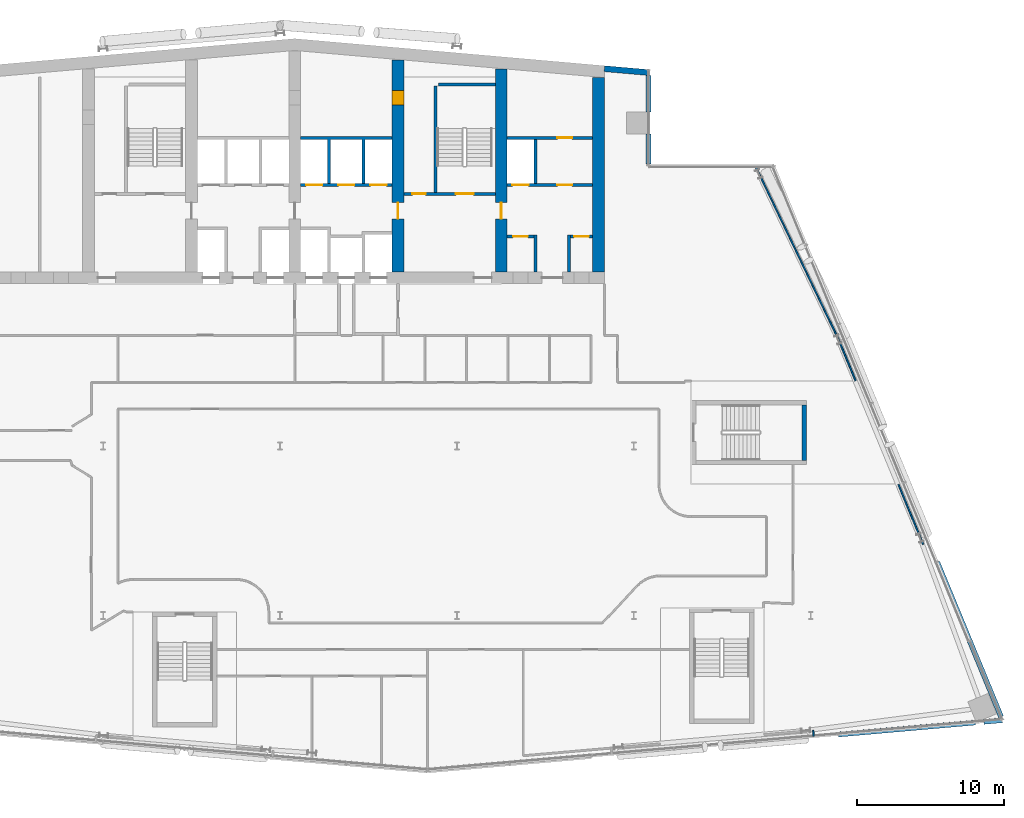
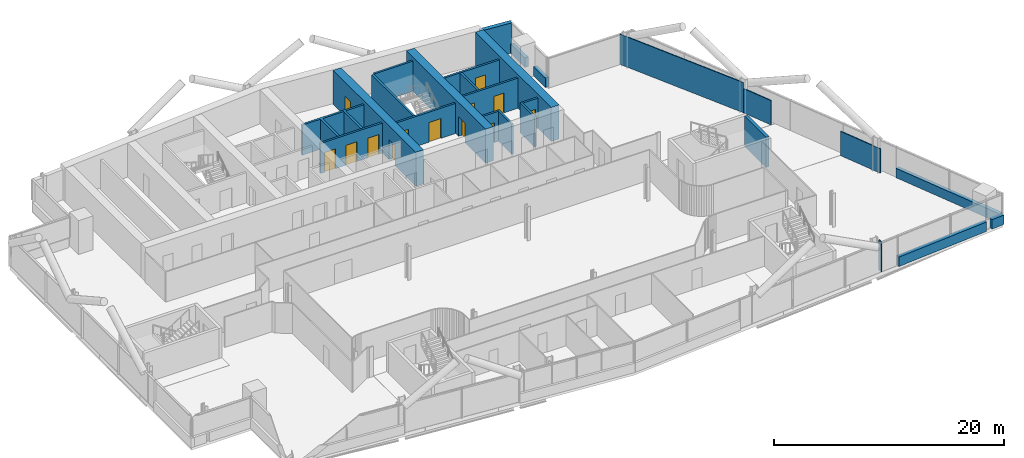
# One storey, part 21 of 29: 26 walls, 13 doors, 13 openings.
"""IFC4 building model written with IfcOpenShell, lengths in metres."""

from ifc_helpers import new_model, si_unit, direction, frame, frame_2d, origin, place, context, subcontext, project, spatial, polyline, rectangle, outline, extrude, material, layer, layer_set, type_object, element, fill, save


model = new_model("IFC4")

# Units and contexts
model_context = context("Model", 3, precision=1e-05, world=origin(), true_north=direction((0.0, 1.0)))
body_context = subcontext(model_context, "Body", "Model", "MODEL_VIEW")
ifc_project = project(units=[si_unit("LENGTHUNIT", "METRE"), si_unit("AREAUNIT", "SQUARE_METRE"), si_unit("VOLUMEUNIT", "CUBIC_METRE"), si_unit("PLANEANGLEUNIT", "RADIAN"), si_unit("MASSUNIT", "GRAM", prefix="KILO")], contexts=[model_context])

# Site, building, storey
site_placement = place(None, origin())
site = spatial("IfcSite", under=ifc_project, at=site_placement, CompositionType="ELEMENT")
building_placement = place(site_placement, origin())
building = spatial("IfcBuilding", under=site, at=building_placement, Name="Wharfspan Tower", CompositionType="ELEMENT")
storey_placement = place(building_placement, frame((0.0, 0.0, 155.5)))
storey = spatial("IfcBuildingStorey", under=building, at=storey_placement, Name="L37", CompositionType="ELEMENT", Elevation=155.5)

# Wall, opening, door
ifc_material_1 = material(Name="Calcium silicate masonry", Category="masonry")
ifc_layer_1 = layer(ifc_material_1, 0.199951)
ifc_layer_set_1 = layer_set([ifc_layer_1], Name="Calcium silicate masonry")
wall_type_1 = type_object("IfcWallType", Name="Core room wall 200", PredefinedType="PARTITIONING", material=ifc_layer_set_1)
wall_1_placement = place(storey_placement, frame((51.399902, 37.199951, 0.0), z_axis=(0.0, 0.0, 1.0), x_axis=(1.0, 0.0, 0.0)))
wall_1 = element("IfcWall", 1, at=wall_1_placement, inside=storey, type_object=wall_type_1, Name="sw:L37:FR6.1", PredefinedType="PARTITIONING", context=body_context, shape_type="SweptSolid", body=[
    extrude(rectangle(XDim=1.833496, YDim=0.199951, at=frame_2d((0.916748, 0.0))), origin(), (0.0, 0.0, 1.0), 3.199951),
])
opening_1_placement = place(wall_1_placement, frame((0.416748, 0.0, 0.0)))
opening_1 = element("IfcOpeningElement", 2, at=opening_1_placement, cuts=wall_1, Name="Opening CD37.6H1", PredefinedType="OPENING", context=body_context, shape_type="SweptSolid", body=[
    extrude(rectangle(XDim=1.0, YDim=2.100098, at=frame_2d((0.5, 1.050049))), frame((0.0, 0.109863, 0.0), z_axis=(0.0, -1.0, 0.0), x_axis=(1.0, 0.0, 0.0)), (0.0, 0.0, 1.0), 0.219971),
])
ifc_material_2 = material(Name="Steel door leaf", Category="steel")
door_type_1 = type_object("IfcDoorType", Name="Core room door 1000x2100", OperationType="SINGLE_SWING_LEFT", PredefinedType="DOOR", material=ifc_material_2)
door_1_placement = place(opening_1_placement, origin())
door_1 = element("IfcDoor", 3, at=door_1_placement, inside=storey, type_object=door_type_1, Name="d:L37:6:fh6.1", OperationType="SINGLE_SWING_RIGHT", OverallHeight=2.100098, OverallWidth=1.0, PredefinedType="DOOR", context=body_context, shape_type="SweptSolid", body=[
    extrude(rectangle(XDim=1.0, YDim=2.100098, at=frame_2d((0.5, 1.050049))), frame((0.0, 0.024902, 0.0), z_axis=(0.0, -1.0, 0.0), x_axis=(1.0, 0.0, 0.0)), (0.0, 0.0, 1.0), 0.050049),
])
fill(opening_1, door_1)

wall_2_placement = place(storey_placement, frame((55.699951, 37.199951, 0.0), z_axis=(0.0, 0.0, 1.0), x_axis=(1.0, 0.0, 0.0)))
wall_2 = element("IfcWall", 4, at=wall_2_placement, inside=storey, type_object=wall_type_1, Name="sw:L37:FR6.3", PredefinedType="PARTITIONING", context=body_context, shape_type="SweptSolid", body=[
    extrude(rectangle(XDim=1.5, YDim=0.199951, at=frame_2d((0.75, 0.0))), origin(), (0.0, 0.0, 1.0), 3.199951),
])
opening_2_placement = place(wall_2_placement, frame((0.25, 0.0, 0.0)))
opening_2 = element("IfcOpeningElement", 5, at=opening_2_placement, cuts=wall_2, Name="Opening CD37.6H3", PredefinedType="OPENING", context=body_context, shape_type="SweptSolid", body=[
    extrude(rectangle(XDim=1.0, YDim=2.100098, at=frame_2d((0.5, 1.050049))), frame((0.0, 0.109863, 0.0), z_axis=(0.0, -1.0, 0.0), x_axis=(1.0, 0.0, 0.0)), (0.0, 0.0, 1.0), 0.219971),
])
door_2_placement = place(opening_2_placement, origin())
door_2 = element("IfcDoor", 6, at=door_2_placement, inside=storey, type_object=door_type_1, Name="d:L37:6:fh6.3", OperationType="SINGLE_SWING_RIGHT", OverallHeight=2.100098, OverallWidth=1.0, PredefinedType="DOOR", context=body_context, shape_type="SweptSolid", body=[
    extrude(rectangle(XDim=1.0, YDim=2.100098, at=frame_2d((0.5, 1.050049))), frame((0.0, 0.024902, 0.0), z_axis=(0.0, -1.0, 0.0), x_axis=(1.0, 0.0, 0.0)), (0.0, 0.0, 1.0), 0.050049),
])
fill(opening_2, door_2)

# Wall, openings, doors
ifc_material_3 = material(Name="Concrete C60/75", Category="concrete")
ifc_layer_2 = layer(ifc_material_3, 0.800049)
ifc_layer_set_2 = layer_set([ifc_layer_2], Name="Concrete C60/75")
wall_type_2 = type_object("IfcWallType", Name="Core wall 800 C60/75", PredefinedType="SHEAR", material=ifc_layer_set_2)
wall_3_placement = place(storey_placement, frame((44.0, 34.800049, 0.0), z_axis=(0.0, 0.0, 1.0), x_axis=(0.0, 1.0, 0.0)))
wall_3 = element("IfcWall", 7, at=wall_3_placement, inside=storey, type_object=wall_type_2, Name="Core cross wall X5 L37", PredefinedType="SHEAR", context=body_context, shape_type="SweptSolid", body=[
    extrude(rectangle(XDim=14.374023, YDim=0.800049, at=frame_2d((7.187012, 0.0))), origin(), (0.0, 0.0, 1.0), 3.600098),
])
opening_3_placement = place(wall_3_placement, frame((11.312012, 0.0, 0.0)))
opening_3 = element("IfcOpeningElement", 8, at=opening_3_placement, cuts=wall_3, Name="Opening CD37.4X", PredefinedType="OPENING", context=body_context, shape_type="SweptSolid", body=[
    extrude(rectangle(XDim=1.0, YDim=2.100098, at=frame_2d((0.5, 1.050049))), frame((0.0, 0.409912, 0.0), z_axis=(0.0, -1.0, 0.0), x_axis=(1.0, 0.0, 0.0)), (0.0, 0.0, 1.0), 0.820068),
])
opening_4_placement = place(wall_3_placement, frame((3.600098, 0.0, 0.0)))
opening_4 = element("IfcOpeningElement", 9, at=opening_4_placement, cuts=wall_3, Name="Opening CC37.5", PredefinedType="OPENING", context=body_context, shape_type="SweptSolid", body=[
    extrude(rectangle(XDim=1.100098, YDim=2.100098, at=frame_2d((0.550049, 1.050049))), frame((0.0, 0.409912, 0.0), z_axis=(0.0, -1.0, 0.0), x_axis=(1.0, 0.0, 0.0)), (0.0, 0.0, 1.0), 0.820068),
])
door_type_2 = type_object("IfcDoorType", Name="Core corridor door 1100x2100", OperationType="SINGLE_SWING_LEFT", PredefinedType="DOOR", material=ifc_material_2)
door_3_placement = place(opening_4_placement, origin())
door_3 = element("IfcDoor", 10, at=door_3_placement, inside=storey, type_object=door_type_2, Name="xd:L37:5", OperationType="SINGLE_SWING_LEFT", OverallHeight=2.100098, OverallWidth=1.100098, PredefinedType="DOOR", context=body_context, shape_type="SweptSolid", body=[
    extrude(rectangle(XDim=1.100098, YDim=2.100098, at=frame_2d((0.550049, 1.050049))), frame((0.0, 0.024902, 0.0), z_axis=(0.0, -1.0, 0.0), x_axis=(1.0, 0.0, 0.0)), (0.0, 0.0, 1.0), 0.050049),
])
fill(opening_4, door_3)
door_4_placement = place(opening_3_placement, origin())
door_4 = element("IfcDoor", 11, at=door_4_placement, inside=storey, type_object=door_type_1, Name="d:L37:4:sx", OperationType="SINGLE_SWING_LEFT", OverallHeight=2.100098, OverallWidth=1.0, PredefinedType="DOOR", context=body_context, shape_type="SweptSolid", body=[
    extrude(rectangle(XDim=1.0, YDim=2.100098, at=frame_2d((0.5, 1.050049))), frame((0.0, 0.399902, 0.0), z_axis=(0.0, -1.0, 0.0), x_axis=(1.0, 0.0, 0.0)), (0.0, 0.0, 1.0), 0.799561),
])
fill(opening_3, door_4)

# Wall, opening, door
wall_4_placement = place(storey_placement, frame((51.0, 34.800049, 0.0), z_axis=(0.0, 0.0, 1.0), x_axis=(0.0, 1.0, 0.0)))
wall_4 = element("IfcWall", 12, at=wall_4_placement, inside=storey, type_object=wall_type_2, Name="Core cross wall X6 L37", PredefinedType="SHEAR", context=body_context, shape_type="SweptSolid", body=[
    extrude(rectangle(XDim=13.761719, YDim=0.800049, at=frame_2d((6.880859, 0.0))), origin(), (0.0, 0.0, 1.0), 3.600098),
])
opening_5_placement = place(wall_4_placement, frame((3.600098, 0.0, 0.0)))
opening_5 = element("IfcOpeningElement", 13, at=opening_5_placement, cuts=wall_4, Name="Opening CC37.6", PredefinedType="OPENING", context=body_context, shape_type="SweptSolid", body=[
    extrude(rectangle(XDim=1.100098, YDim=2.100098, at=frame_2d((0.550049, 1.050049))), frame((0.0, 0.409912, 0.0), z_axis=(0.0, -1.0, 0.0), x_axis=(1.0, 0.0, 0.0)), (0.0, 0.0, 1.0), 0.820068),
])
door_5_placement = place(opening_5_placement, origin())
door_5 = element("IfcDoor", 14, at=door_5_placement, inside=storey, type_object=door_type_2, Name="xd:L37:6", OperationType="SINGLE_SWING_RIGHT", OverallHeight=2.100098, OverallWidth=1.100098, PredefinedType="DOOR", context=body_context, shape_type="SweptSolid", body=[
    extrude(rectangle(XDim=1.100098, YDim=2.100098, at=frame_2d((0.550049, 1.050049))), frame((0.0, 0.024902, 0.0), z_axis=(0.0, -1.0, 0.0), x_axis=(1.0, 0.0, 0.0)), (0.0, 0.0, 1.0), 0.050049),
])
fill(opening_5, door_5)

# Wall
wall_5_placement = place(storey_placement, frame((57.600098, 34.800049, 0.0), z_axis=(0.0, 0.0, 1.0), x_axis=(0.0, 1.0, 0.0)))
element("IfcWall", 15, at=wall_5_placement, inside=storey, type_object=wall_type_2, Name="Core cross wall EW1 L37", PredefinedType="SHEAR", context=body_context, shape_type="SweptSolid", body=[
    extrude(rectangle(XDim=13.184326, YDim=0.800049, at=frame_2d((6.592285, 0.0))), origin(), (0.0, 0.0, 1.0), 3.600098),
])

# Wall, openings, doors
ifc_material_4 = material(Name="Concrete C30/37", Category="concrete")
ifc_layer_3 = layer(ifc_material_4, 0.199951)
ifc_layer_set_3 = layer_set([ifc_layer_3], Name="Concrete C30/37")
wall_type_3 = type_object("IfcWallType", Name="Lift shaft wall 200", PredefinedType="PARTITIONING", material=ifc_layer_set_3)
wall_6_placement = place(storey_placement, frame((37.399902, 40.699951, 0.0), z_axis=(0.0, 0.0, 1.0), x_axis=(1.0, 0.0, 0.0)))
wall_6 = element("IfcWall", 16, at=wall_6_placement, inside=storey, type_object=wall_type_3, Name="sw:L37:RF4", PredefinedType="PARTITIONING", context=body_context, shape_type="SweptSolid", body=[
    extrude(rectangle(XDim=6.200195, YDim=0.199951, at=frame_2d((3.100098, 0.0))), origin(), (0.0, 0.0, 1.0), 3.199951),
])
opening_6_placement = place(wall_6_placement, frame((0.366699, 0.0, 0.0)))
opening_6 = element("IfcOpeningElement", 17, at=opening_6_placement, cuts=wall_6, Name="Opening LD.LB4.L37", PredefinedType="OPENING", context=body_context, shape_type="SweptSolid", body=[
    extrude(rectangle(XDim=1.100098, YDim=2.100098, at=frame_2d((0.550049, 1.050049))), frame((0.0, 0.109863, 0.0), z_axis=(0.0, -1.0, 0.0), x_axis=(1.0, 0.0, 0.0)), (0.0, 0.0, 1.0), 0.219971),
])
opening_7_placement = place(wall_6_placement, frame((2.550049, 0.0, 0.0)))
opening_7 = element("IfcOpeningElement", 18, at=opening_7_placement, cuts=wall_6, Name="Opening LD.LB5.L37", PredefinedType="OPENING", context=body_context, shape_type="SweptSolid", body=[
    extrude(rectangle(XDim=1.100098, YDim=2.100098, at=frame_2d((0.550049, 1.050049))), frame((0.0, 0.109863, 0.0), z_axis=(0.0, -1.0, 0.0), x_axis=(1.0, 0.0, 0.0)), (0.0, 0.0, 1.0), 0.219971),
])
opening_8_placement = place(wall_6_placement, frame((4.733398, 0.0, 0.0)))
opening_8 = element("IfcOpeningElement", 19, at=opening_8_placement, cuts=wall_6, Name="Opening LD.LB6.L37", PredefinedType="OPENING", context=body_context, shape_type="SweptSolid", body=[
    extrude(rectangle(XDim=1.100098, YDim=2.100098, at=frame_2d((0.550049, 1.050049))), frame((0.0, 0.109863, 0.0), z_axis=(0.0, -1.0, 0.0), x_axis=(1.0, 0.0, 0.0)), (0.0, 0.0, 1.0), 0.219971),
])
ifc_material_5 = material(Name="Stainless steel", Category="steel")
door_type_3 = type_object("IfcDoorType", Name="Lift landing door 1100x2100", OperationType="DOUBLE_DOOR_SLIDING", PredefinedType="DOOR", material=ifc_material_5)
door_6_placement = place(opening_6_placement, origin())
door_6 = element("IfcDoor", 20, at=door_6_placement, inside=storey, type_object=door_type_3, Name="Landing door LB4 L37", OperationType="DOUBLE_DOOR_SLIDING", OverallHeight=2.100098, OverallWidth=1.100098, PredefinedType="DOOR", context=body_context, shape_type="SweptSolid", body=[
    extrude(rectangle(XDim=1.100098, YDim=2.100098, at=frame_2d((0.550049, 1.050049))), frame((0.0, 0.024902, 0.0), z_axis=(0.0, -1.0, 0.0), x_axis=(1.0, 0.0, 0.0)), (0.0, 0.0, 1.0), 0.050049),
])
fill(opening_6, door_6)
door_7_placement = place(opening_7_placement, origin())
door_7 = element("IfcDoor", 21, at=door_7_placement, inside=storey, type_object=door_type_3, Name="Landing door LB5 L37", OperationType="DOUBLE_DOOR_SLIDING", OverallHeight=2.100098, OverallWidth=1.100098, PredefinedType="DOOR", context=body_context, shape_type="SweptSolid", body=[
    extrude(rectangle(XDim=1.100098, YDim=2.100098, at=frame_2d((0.550049, 1.050049))), frame((0.0, 0.024902, 0.0), z_axis=(0.0, -1.0, 0.0), x_axis=(1.0, 0.0, 0.0)), (0.0, 0.0, 1.0), 0.050049),
])
fill(opening_7, door_7)
door_8_placement = place(opening_8_placement, origin())
door_8 = element("IfcDoor", 22, at=door_8_placement, inside=storey, type_object=door_type_3, Name="Landing door LB6 L37", OperationType="DOUBLE_DOOR_SLIDING", OverallHeight=2.100098, OverallWidth=1.100098, PredefinedType="DOOR", context=body_context, shape_type="SweptSolid", body=[
    extrude(rectangle(XDim=1.100098, YDim=2.100098, at=frame_2d((0.550049, 1.050049))), frame((0.0, 0.024902, 0.0), z_axis=(0.0, -1.0, 0.0), x_axis=(1.0, 0.0, 0.0)), (0.0, 0.0, 1.0), 0.050049),
])
fill(opening_8, door_8)

# Wall
wall_7_placement = place(storey_placement, frame((0.0, 0.0, -0.000244)))
element("IfcWall", 23, at=wall_7_placement, inside=storey, type_object=wall_type_3, Name="sw:L37:RM4.0", PredefinedType="PARTITIONING", context=body_context, shape_type="SweptSolid", body=[
    extrude(outline(polyline([(39.43335, 40.800049), (39.233398, 40.800049), (39.233398, 43.800049), (37.399902, 43.800049), (37.399902, 44.0), (43.600098, 44.0), (43.600098, 43.800049), (41.766602, 43.800049), (41.766602, 40.800049), (41.56665, 40.800049), (41.56665, 43.800049), (39.43335, 43.800049), (39.43335, 40.800049)])), origin(), (0.0, 0.0, 1.0), 3.200195),
])

# Wall, openings, doors
wall_8_placement = place(storey_placement, frame((51.399902, 40.699951, 0.0), z_axis=(0.0, 0.0, 1.0), x_axis=(1.0, 0.0, 0.0)))
wall_8 = element("IfcWall", 24, at=wall_8_placement, inside=storey, type_object=wall_type_3, Name="sw:L37:RF6", PredefinedType="PARTITIONING", context=body_context, shape_type="SweptSolid", body=[
    extrude(rectangle(XDim=5.800049, YDim=0.199951, at=frame_2d((2.899902, 0.0))), origin(), (0.0, 0.0, 1.0), 3.199951),
])
opening_9_placement = place(wall_8_placement, frame((0.366699, 0.0, 0.0)))
opening_9 = element("IfcOpeningElement", 25, at=opening_9_placement, cuts=wall_8, Name="Opening LD.LB8.L37", PredefinedType="OPENING", context=body_context, shape_type="SweptSolid", body=[
    extrude(rectangle(XDim=1.100098, YDim=2.100098, at=frame_2d((0.550049, 1.050049))), frame((0.0, 0.109863, 0.0), z_axis=(0.0, -1.0, 0.0), x_axis=(1.0, 0.0, 0.0)), (0.0, 0.0, 1.0), 0.219971),
])
opening_10_placement = place(wall_8_placement, frame((3.416748, 0.0, 0.0)))
opening_10 = element("IfcOpeningElement", 26, at=opening_10_placement, cuts=wall_8, Name="Opening CD37.6R2", PredefinedType="OPENING", context=body_context, shape_type="SweptSolid", body=[
    extrude(rectangle(XDim=1.0, YDim=2.100098, at=frame_2d((0.5, 1.050049))), frame((0.0, 0.109863, 0.0), z_axis=(0.0, -1.0, 0.0), x_axis=(1.0, 0.0, 0.0)), (0.0, 0.0, 1.0), 0.219971),
])
door_9_placement = place(opening_10_placement, origin())
door_9 = element("IfcDoor", 27, at=door_9_placement, inside=storey, type_object=door_type_1, Name="d:L37:6:rd6.2", OperationType="SINGLE_SWING_RIGHT", OverallHeight=2.100098, OverallWidth=1.0, PredefinedType="DOOR", context=body_context, shape_type="SweptSolid", body=[
    extrude(rectangle(XDim=1.0, YDim=2.100098, at=frame_2d((0.5, 1.050049))), frame((0.0, 0.024902, 0.0), z_axis=(0.0, -1.0, 0.0), x_axis=(1.0, 0.0, 0.0)), (0.0, 0.0, 1.0), 0.050049),
])
fill(opening_10, door_9)
door_10_placement = place(opening_9_placement, origin())
door_10 = element("IfcDoor", 28, at=door_10_placement, inside=storey, type_object=door_type_3, Name="Landing door LB8 L37", OperationType="DOUBLE_DOOR_SLIDING", OverallHeight=2.100098, OverallWidth=1.100098, PredefinedType="DOOR", context=body_context, shape_type="SweptSolid", body=[
    extrude(rectangle(XDim=1.100098, YDim=2.100098, at=frame_2d((0.550049, 1.050049))), frame((0.0, 0.024902, 0.0), z_axis=(0.0, -1.0, 0.0), x_axis=(1.0, 0.0, 0.0)), (0.0, 0.0, 1.0), 0.050049),
])
fill(opening_9, door_10)

# Wall, opening, door
wall_9_placement = place(storey_placement, frame((51.399902, 43.899902, 0.0), z_axis=(0.0, 0.0, 1.0), x_axis=(1.0, 0.0, 0.0)))
wall_9 = element("IfcWall", 29, at=wall_9_placement, inside=storey, type_object=wall_type_3, Name="sw:L37:RR6", PredefinedType="PARTITIONING", context=body_context, shape_type="SweptSolid", body=[
    extrude(rectangle(XDim=5.800049, YDim=0.199951, at=frame_2d((2.899902, 0.0))), origin(), (0.0, 0.0, 1.0), 3.199951),
])
opening_11_placement = place(wall_9_placement, frame((3.416748, 0.0, 0.0)))
opening_11 = element("IfcOpeningElement", 30, at=opening_11_placement, cuts=wall_9, Name="Opening CD37.6S2", PredefinedType="OPENING", context=body_context, shape_type="SweptSolid", body=[
    extrude(rectangle(XDim=1.0, YDim=2.100098, at=frame_2d((0.5, 1.050049))), frame((0.0, 0.109863, 0.0), z_axis=(0.0, -1.0, 0.0), x_axis=(1.0, 0.0, 0.0)), (0.0, 0.0, 1.0), 0.219971),
])
door_11_placement = place(opening_11_placement, origin())
door_11 = element("IfcDoor", 31, at=door_11_placement, inside=storey, type_object=door_type_1, Name="d:L37:6:rs6.2", OperationType="SINGLE_SWING_LEFT", OverallHeight=2.100098, OverallWidth=1.0, PredefinedType="DOOR", context=body_context, shape_type="SweptSolid", body=[
    extrude(rectangle(XDim=1.0, YDim=2.100098, at=frame_2d((0.5, 1.050049))), frame((0.0, 0.024902, 0.0), z_axis=(0.0, -1.0, 0.0), x_axis=(1.0, 0.0, 0.0)), (0.0, 0.0, 1.0), 0.050049),
])
fill(opening_11, door_11)

# Walls
wall_10_placement = place(storey_placement, frame((0.0, 0.0, -0.000244)))
element("IfcWall", 32, at=wall_10_placement, inside=storey, type_object=wall_type_3, Name="sw:L37:FM6.0", PredefinedType="PARTITIONING", context=body_context, shape_type="SweptSolid", body=[
    extrude(outline(polyline([(53.233398, 34.800049), (53.233398, 37.300049), (53.43335, 37.300049), (53.43335, 34.800049), (53.233398, 34.800049)])), origin(), (0.0, 0.0, 1.0), 3.200195),
])
wall_11_placement = place(storey_placement, frame((0.0, 0.0, -0.000244)))
element("IfcWall", 33, at=wall_11_placement, inside=storey, type_object=wall_type_3, Name="sw:L37:FM6.1", PredefinedType="PARTITIONING", context=body_context, shape_type="SweptSolid", body=[
    extrude(outline(polyline([(55.5, 34.800049), (55.5, 37.300049), (55.699951, 37.300049), (55.699951, 34.800049), (55.5, 34.800049)])), origin(), (0.0, 0.0, 1.0), 3.200195),
])
wall_12_placement = place(storey_placement, frame((0.0, 0.0, -0.000244)))
element("IfcWall", 34, at=wall_12_placement, inside=storey, type_object=wall_type_3, Name="sw:L37:RM6.0", PredefinedType="PARTITIONING", context=body_context, shape_type="SweptSolid", body=[
    extrude(outline(polyline([(53.43335, 40.800049), (53.43335, 43.800049), (53.233398, 43.800049), (53.233398, 40.800049), (53.43335, 40.800049)])), origin(), (0.0, 0.0, 1.0), 3.200195),
])
ifc_material_6 = material(Name="Gypsum board on steel studs", Category="steel")
ifc_layer_4 = layer(ifc_material_6, 0.100098)
ifc_layer_set_4 = layer_set([ifc_layer_4], Name="Gypsum board on steel studs")
wall_type_4 = type_object("IfcWallType", Name="Partition 100", PredefinedType="PARTITIONING", material=ifc_layer_set_4)
wall_13_placement = place(storey_placement, frame((72.198242, 3.300049, 0.0), z_axis=(0.0, 0.0, 1.0), x_axis=(-0.083759, 0.996486, 0.0)))
element("IfcWall", 35, at=wall_13_placement, inside=storey, type_object=wall_type_4, Name="Partition L37.w103", PredefinedType="PARTITIONING", context=body_context, shape_type="SweptSolid", body=[
    extrude(rectangle(XDim=0.396484, YDim=0.100098, at=frame_2d((0.198242, 0.0))), origin(), (0.0, 0.0, 1.0), 3.199951),
])
wall_14_placement = place(storey_placement, frame((73.88501, 30.22998, 0.0), z_axis=(0.0, 0.0, 1.0), x_axis=(-0.432167, 0.90179, 0.0)))
element("IfcWall", 36, at=wall_14_placement, inside=storey, type_object=wall_type_4, Name="Partition L37.w104", PredefinedType="PARTITIONING", context=body_context, shape_type="SweptSolid", body=[
    extrude(rectangle(XDim=13.036133, YDim=0.100098, at=frame_2d((6.518066, 0.0))), origin(), (0.0, 0.0, 1.0), 3.199951),
])
wall_15_placement = place(storey_placement, frame((75.046631, 27.419922, 0.0), z_axis=(0.0, 0.0, 1.0), x_axis=(-0.382024, 0.924148, 0.0)))
element("IfcWall", 37, at=wall_15_placement, inside=storey, type_object=wall_type_4, Name="Partition L37.w105", PredefinedType="PARTITIONING", context=body_context, shape_type="SweptSolid", body=[
    extrude(rectangle(XDim=3.040771, YDim=0.100098, at=frame_2d((1.520508, 0.0))), origin(), (0.0, 0.0, 1.0), 2.580078),
])
wall_16_placement = place(storey_placement, frame((79.629883, 16.310059, 0.0), z_axis=(0.0, 0.0, 1.0), x_axis=(-0.380933, 0.9246, 0.0)))
element("IfcWall", 38, at=wall_16_placement, inside=storey, type_object=wall_type_4, Name="Partition L37.w106", PredefinedType="PARTITIONING", context=body_context, shape_type="SweptSolid", body=[
    extrude(rectangle(XDim=4.401611, YDim=0.100098, at=frame_2d((2.200684, 0.0))), origin(), (0.0, 0.0, 1.0), 2.580078),
])
ifc_material_7 = material(Name="Concrete C40/50", Category="concrete")
ifc_layer_5 = layer(ifc_material_7, 0.350098)
ifc_layer_set_5 = layer_set([ifc_layer_5], Name="Concrete C40/50")
wall_type_5 = type_object("IfcWallType", Name="SPANDREL EXPOSED CONCRETE 350", PredefinedType="SOLIDWALL", material=ifc_layer_set_5)
wall_17_placement = place(storey_placement, frame((73.887451, 3.422852, 0.0), z_axis=(0.0, 0.0, 1.0), x_axis=(0.996197, 0.087145, 0.0)))
element("IfcWall", 39, at=wall_17_placement, inside=storey, type_object=wall_type_5, Name="Spandrel upstand L37 S2 2", PredefinedType="SOLIDWALL", context=body_context, shape_type="SweptSolid", body=[
    extrude(rectangle(XDim=9.323486, YDim=0.350098, at=frame_2d((4.661621, 0.0))), origin(), (0.0, 0.0, 1.0), 1.0),
])
wall_18_placement = place(storey_placement, frame((83.744629, 4.285156, 0.0), z_axis=(0.0, 0.0, 1.0), x_axis=(0.996198, 0.087148, 0.0)))
element("IfcWall", 40, at=wall_18_placement, inside=storey, type_object=wall_type_5, Name="Spandrel upstand L37 S2 3", PredefinedType="SOLIDWALL", context=body_context, shape_type="SweptSolid", body=[
    extrude(rectangle(XDim=1.260742, YDim=0.350098, at=frame_2d((0.630371, 0.0))), origin(), (0.0, 0.0, 1.0), 1.0),
])
wall_19_placement = place(storey_placement, frame((84.91626, 4.615967, 0.0), z_axis=(0.0, 0.0, 1.0), x_axis=(-0.381598, 0.924328, 0.0)))
element("IfcWall", 41, at=wall_19_placement, inside=storey, type_object=wall_type_5, Name="Spandrel upstand L37 E", PredefinedType="SOLIDWALL", context=body_context, shape_type="SweptSolid", body=[
    extrude(rectangle(XDim=11.360596, YDim=0.350098, at=frame_2d((5.680176, 0.0))), origin(), (0.0, 0.0, 1.0), 1.0),
])
wall_20_placement = place(storey_placement, frame((61.004883, 42.120117, 0.0), z_axis=(0.0, 0.0, 1.0), x_axis=(0.0, 1.0, 0.0)))
element("IfcWall", 42, at=wall_20_placement, inside=storey, type_object=wall_type_5, Name="Spandrel upstand L37 NRE-V", PredefinedType="SOLIDWALL", context=body_context, shape_type="SweptSolid", body=[
    extrude(rectangle(XDim=2.029785, YDim=0.350098, at=frame_2d((1.014893, 0.0))), origin(), (0.0, 0.0, 1.0), 1.0),
])
wall_21_placement = place(storey_placement, frame((61.004883, 45.649902, 0.0), z_axis=(0.0, 0.0, 1.0), x_axis=(0.0, 1.0, 0.0)))
element("IfcWall", 43, at=wall_21_placement, inside=storey, type_object=wall_type_5, Name="Spandrel upstand L37 NRE-V 2", PredefinedType="SOLIDWALL", context=body_context, shape_type="SweptSolid", body=[
    extrude(rectangle(XDim=2.476562, YDim=0.350098, at=frame_2d((1.238281, 0.0))), origin(), (0.0, 0.0, 1.0), 1.0),
])
ifc_layer_6 = layer(ifc_material_7, 0.300049)
ifc_layer_set_6 = layer_set([ifc_layer_6], Name="Concrete C40/50")
wall_type_6 = type_object("IfcWallType", Name="Stair core wall 300", PredefinedType="SHEAR", material=ifc_layer_set_6)
wall_22_placement = place(storey_placement, frame((71.554688, 22.024902, 0.0), z_axis=(0.0, 0.0, 1.0), x_axis=(0.0, 1.0, 0.0)))
element("IfcWall", 44, at=wall_22_placement, inside=storey, type_object=wall_type_6, Name="ST6 stair enclosure wall L37", PredefinedType="SHEAR", context=body_context, shape_type="SweptSolid", body=[
    extrude(rectangle(XDim=3.75, YDim=0.300049, at=frame_2d((1.875, 0.0))), origin(), (0.0, 0.0, 1.0), 3.199951),
])

# Wall, openings, doors
ifc_layer_7 = layer(ifc_material_7, 0.199951)
ifc_layer_set_7 = layer_set([ifc_layer_7], Name="Concrete C40/50")
wall_type_7 = type_object("IfcWallType", Name="Stair shaft wall 200", PredefinedType="SHEAR", material=ifc_layer_set_7)
wall_23_placement = place(storey_placement, frame((44.399902, 40.100098, 0.0), z_axis=(0.0, 0.0, 1.0), x_axis=(1.0, 0.0, 0.0)))
wall_23 = element("IfcWall", 45, at=wall_23_placement, inside=storey, type_object=wall_type_7, Name="ST2 stair enclosure wall L37", PredefinedType="SHEAR", context=body_context, shape_type="SweptSolid", body=[
    extrude(rectangle(XDim=6.200195, YDim=0.199951, at=frame_2d((3.100098, 0.0))), origin(), (0.0, 0.0, 1.0), 3.199951),
])
opening_12_placement = place(wall_23_placement, frame((3.524902, 0.0, 0.0)))
opening_12 = element("IfcOpeningElement", 46, at=opening_12_placement, cuts=wall_23, Name="Opening SD5.L37", PredefinedType="OPENING", context=body_context, shape_type="SweptSolid", body=[
    extrude(rectangle(XDim=1.199951, YDim=2.100098, at=frame_2d((0.600098, 1.050049))), frame((0.0, 0.109863, 0.0), z_axis=(0.0, -1.0, 0.0), x_axis=(1.0, 0.0, 0.0)), (0.0, 0.0, 1.0), 0.219971),
])
opening_13_placement = place(wall_23_placement, frame((0.574951, 0.0, 0.0)))
opening_13 = element("IfcOpeningElement", 47, at=opening_13_placement, cuts=wall_23, Name="Opening CD37.5R", PredefinedType="OPENING", context=body_context, shape_type="SweptSolid", body=[
    extrude(rectangle(XDim=0.899902, YDim=2.100098, at=frame_2d((0.449951, 1.050049))), frame((0.0, 0.109863, 0.0), z_axis=(0.0, -1.0, 0.0), x_axis=(1.0, 0.0, 0.0)), (0.0, 0.0, 1.0), 0.219971),
])
door_12_placement = place(opening_13_placement, origin())
door_12 = element("IfcDoor", 48, at=door_12_placement, inside=storey, type_object=door_type_1, Name="rk:L37:5", OperationType="SINGLE_SWING_LEFT", OverallHeight=2.100098, OverallWidth=0.899902, PredefinedType="DOOR", context=body_context, shape_type="SweptSolid", body=[
    extrude(rectangle(XDim=0.899902, YDim=2.100098, at=frame_2d((0.449951, 1.050049))), frame((0.0, 0.024902, 0.0), z_axis=(0.0, -1.0, 0.0), x_axis=(1.0, 0.0, 0.0)), (0.0, 0.0, 1.0), 0.050049),
])
fill(opening_13, door_12)
door_type_4 = type_object("IfcDoorType", Name="Stair door 1200x2100", OperationType="SINGLE_SWING_LEFT", PredefinedType="DOOR", material=ifc_material_2)
door_13_placement = place(opening_12_placement, origin())
door_13 = element("IfcDoor", 49, at=door_13_placement, inside=storey, type_object=door_type_4, Name="sd:L37:5", OperationType="SINGLE_SWING_RIGHT", OverallHeight=2.100098, OverallWidth=1.199951, PredefinedType="DOOR", context=body_context, shape_type="SweptSolid", body=[
    extrude(rectangle(XDim=1.199951, YDim=2.100098, at=frame_2d((0.600098, 1.050049))), frame((0.0, 0.024902, 0.0), z_axis=(0.0, -1.0, 0.0), x_axis=(1.0, 0.0, 0.0)), (0.0, 0.0, 1.0), 0.050049),
])
fill(opening_12, door_13)

# Walls
wall_24_placement = place(storey_placement, frame((46.550049, 40.199951, 0.0), z_axis=(0.0, 0.0, 1.0), x_axis=(0.0, 1.0, 0.0)))
element("IfcWall", 50, at=wall_24_placement, inside=storey, type_object=wall_type_7, Name="ST2 stair enclosure wall L37", PredefinedType="SHEAR", context=body_context, shape_type="SweptSolid", body=[
    extrude(rectangle(XDim=7.199951, YDim=0.199951, at=frame_2d((3.600098, 0.0))), origin(), (0.0, 0.0, 1.0), 3.199951),
])
wall_25_placement = place(storey_placement, frame((46.75, 47.5, 0.0), z_axis=(0.0, 0.0, 1.0), x_axis=(1.0, 0.0, 0.0)))
element("IfcWall", 51, at=wall_25_placement, inside=storey, type_object=wall_type_7, Name="ST2 stair enclosure wall L37", PredefinedType="SHEAR", context=body_context, shape_type="SweptSolid", body=[
    extrude(rectangle(XDim=3.850098, YDim=0.199951, at=frame_2d((1.925049, 0.0))), origin(), (0.0, 0.0, 1.0), 3.199951),
])
ifc_layer_8 = layer(ifc_material_7, 0.399902)
ifc_layer_set_8 = layer_set([ifc_layer_8], Name="Concrete C40/50")
wall_type_8 = type_object("IfcWallType", Name="WALL EXPOSED CONCRETE 400", PredefinedType="SOLIDWALL", material=ifc_layer_set_8)
wall_26_placement = place(storey_placement, frame((60.982666, 48.325684, 0.0), z_axis=(0.0, 0.0, 1.0), x_axis=(-0.996194, 0.087168, 0.0)))
element("IfcWall", 52, at=wall_26_placement, inside=storey, type_object=wall_type_8, Name="Rear wall N2", PredefinedType="SOLIDWALL", context=body_context, shape_type="SweptSolid", body=[
    extrude(rectangle(XDim=2.994141, YDim=0.399902, at=frame_2d((1.49707, 0.0))), origin(), (0.0, 0.0, 1.0), 3.199951),
])

save(model, "model.ifc")
